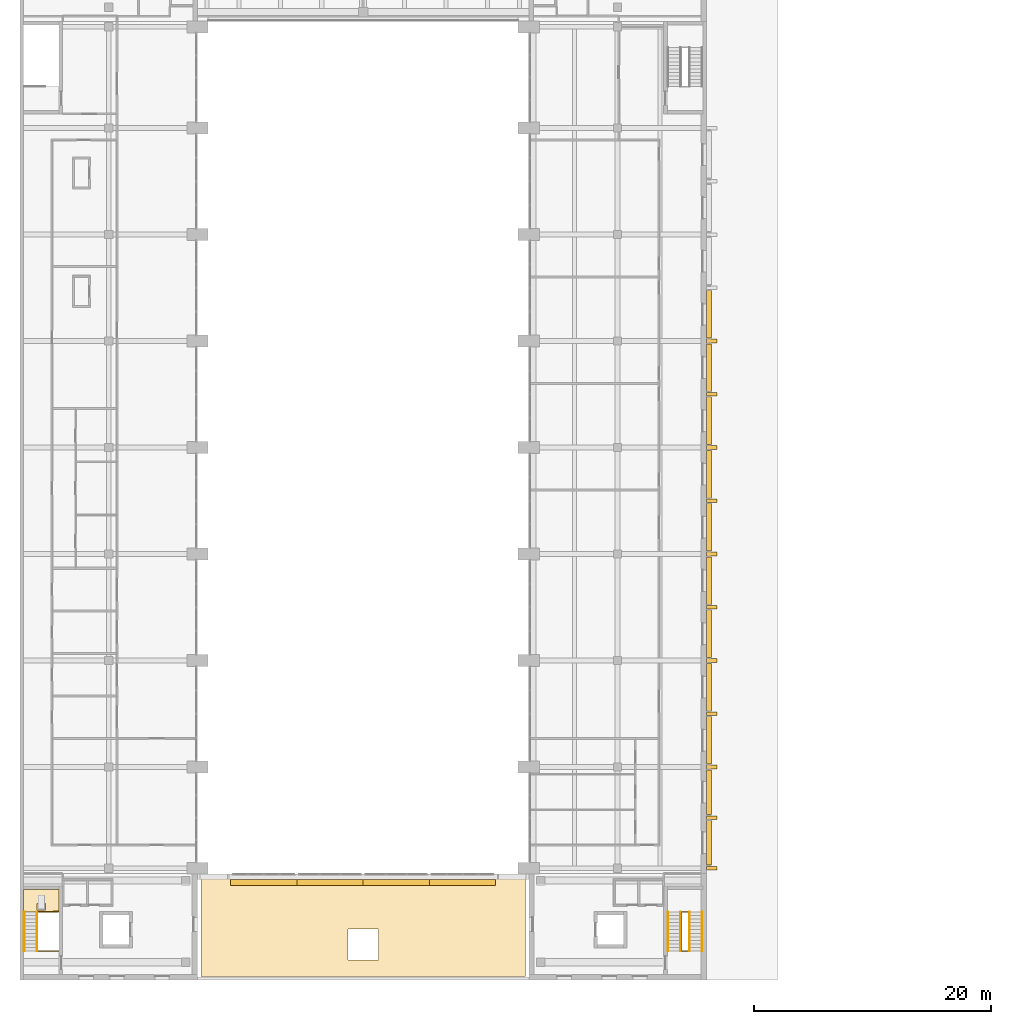
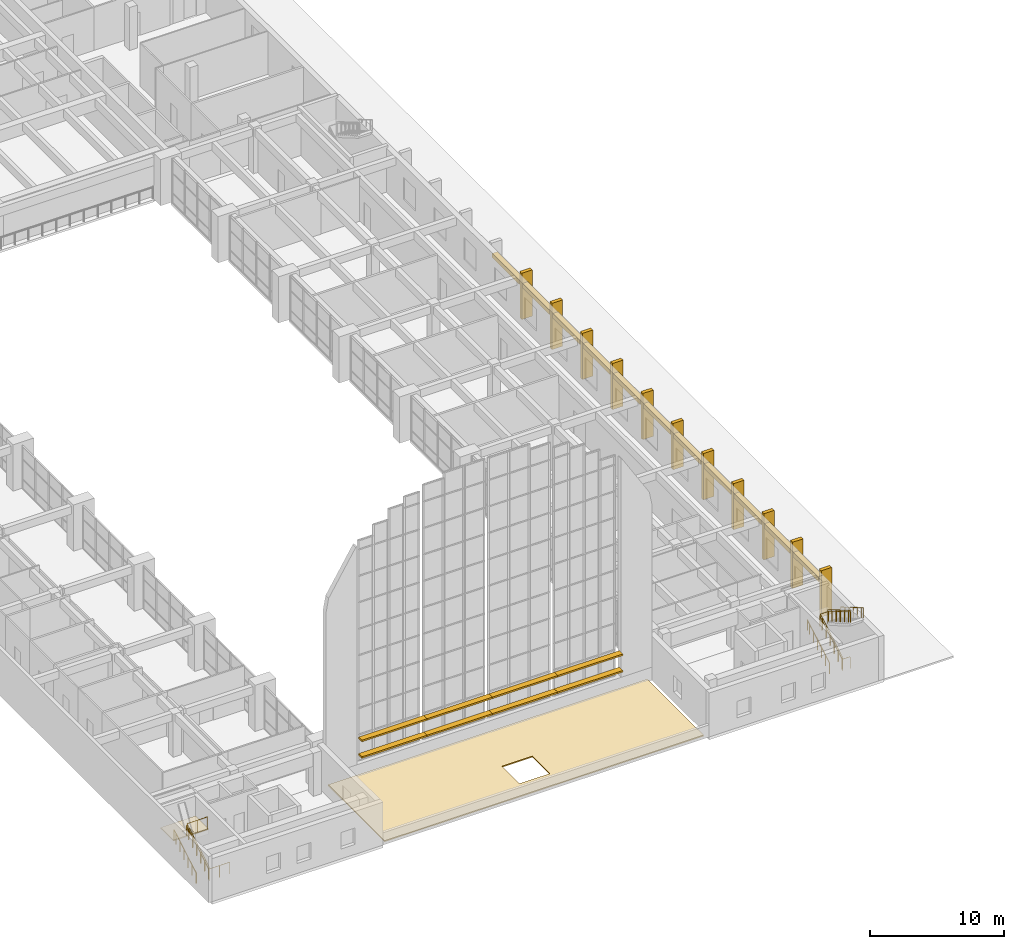
# One storey, part 41 of 45: 30 shading devices, 8 railings, 2 coverings.
"""IFC4 building model written with IfcOpenShell, lengths in metres."""

from ifc_helpers import new_model, si_unit, direction, frame, origin, origin_2d, place, context, subcontext, project, spatial, polyline, rectangle, circle, outline, extrude, material, layer, layer_set, type_object, element, save


model = new_model("IFC4")

# Units and contexts
model_context = context("Model", 3, precision=1e-05, world=origin(), true_north=direction((0.0, 1.0)))
body_context = subcontext(model_context, "Body", "Model", "MODEL_VIEW")
ifc_project = project(units=[si_unit("LENGTHUNIT", "METRE"), si_unit("AREAUNIT", "SQUARE_METRE"), si_unit("VOLUMEUNIT", "CUBIC_METRE"), si_unit("PLANEANGLEUNIT", "RADIAN"), si_unit("MASSUNIT", "GRAM", prefix="KILO")], contexts=[model_context])

# Site, building, storey
site_placement = place(None, origin())
site = spatial("IfcSite", under=ifc_project, at=site_placement, CompositionType="ELEMENT")
building_placement = place(site_placement, origin())
building = spatial("IfcBuilding", under=site, at=building_placement, Name="Elmora Arch Market Hall", CompositionType="ELEMENT")
storey_placement = place(building_placement, frame((0.0, 0.0, 6.0)))
storey = spatial("IfcBuildingStorey", under=building, at=storey_placement, Name="L01", CompositionType="ELEMENT", Elevation=6.0)

# Shading devices
ifc_material_1 = material(Name="Concrete C40/50", Category="concrete")
ifc_layer_1 = layer(ifc_material_1, 0.14990234375)
ifc_layer_set_1 = layer_set([ifc_layer_1], Name="Concrete C40/50")
shading_device_type_1 = type_object("IfcShadingDeviceType", Name="Brise-soleil blade 150 x 500", PredefinedType="USERDEFINED", material=ifc_layer_set_1)
for number, where, z_axis, x_axis, name in (
    (1, (20.60009765625, 26.25, 2.025146484375), (0.0, 0.0, 1.0), (1.0, 0.0, 0.0), "South gable blade 1.1"),
    (2, (20.60009765625, 26.25, 3.525146484375), (0.0, 0.0, 1.0), (1.0, 0.0, 0.0), "South gable blade 1.2"),
    (3, (26.199951171875, 26.25, 2.025146484375), (0.0, 0.0, 1.0), (1.0, 0.0, 0.0), "South gable blade 2.1"),
    (4, (26.199951171875, 26.25, 3.525146484375), (0.0, 0.0, 1.0), (1.0, 0.0, 0.0), "South gable blade 2.2"),
    (5, (31.800048828125, 26.25, 2.025146484375), (0.0, 0.0, 1.0), (1.0, 0.0, 0.0), "South gable blade 3.1"),
    (6, (31.800048828125, 26.25, 3.525146484375), (0.0, 0.0, 1.0), (1.0, 0.0, 0.0), "South gable blade 3.2"),
    (7, (37.39990234375, 26.25, 2.025146484375), (0.0, 0.0, 1.0), (1.0, 0.0, 0.0), "South gable blade 4.1"),
    (8, (37.39990234375, 26.25, 3.525146484375), (0.0, 0.0, 1.0), (1.0, 0.0, 0.0), "South gable blade 4.2"),
):
    element("IfcShadingDevice", number, at=place(storey_placement, frame(where, z_axis=z_axis, x_axis=x_axis)), inside=storey, type_object=shading_device_type_1, Name=name, ObjectType="BLADE", PredefinedType="USERDEFINED", context=body_context, shape_type="SweptSolid", body=[
        extrude(rectangle(XDim=5.60009765625, YDim=0.5, at=origin_2d()), origin(), (0.0, 0.0, 1.0), 0.14990234375),
    ])
ifc_material_2 = material(Name="Concrete C40/50", Category="concrete")
shading_device_type_2 = type_object("IfcShadingDeviceType", Name="Concrete fin 300x900", PredefinedType="USERDEFINED", material=ifc_material_2)
for number, where, z_axis, x_axis, name in (
    (9, (58.449951171875, 27.449951171875, 0.0), (0.0, 0.0, 1.0), (1.0, 0.0, 0.0), "Arcade fin 1 L01"),
    (10, (58.449951171875, 31.72509765625, 0.0), (0.0, 0.0, 1.0), (1.0, 0.0, 0.0), "Arcade fin 2 L01"),
    (11, (58.449951171875, 36.0, 0.0), (0.0, 0.0, 1.0), (1.0, 0.0, 0.0), "Arcade fin 3 L01"),
    (12, (58.449951171875, 40.5, 0.0), (0.0, 0.0, 1.0), (1.0, 0.0, 0.0), "Arcade fin 4 L01"),
    (13, (58.449951171875, 45.0, 0.0), (0.0, 0.0, 1.0), (1.0, 0.0, 0.0), "Arcade fin 5 L01"),
    (14, (58.449951171875, 49.5, 0.0), (0.0, 0.0, 1.0), (1.0, 0.0, 0.0), "Arcade fin 6 L01"),
    (15, (58.449951171875, 54.0, 0.0), (0.0, 0.0, 1.0), (1.0, 0.0, 0.0), "Arcade fin 7 L01"),
    (16, (58.449951171875, 58.5, 0.0), (0.0, 0.0, 1.0), (1.0, 0.0, 0.0), "Arcade fin 8 L01"),
    (17, (58.449951171875, 63.0, 0.0), (0.0, 0.0, 1.0), (1.0, 0.0, 0.0), "Arcade fin 9 L01"),
    (18, (58.449951171875, 67.5, 0.0), (0.0, 0.0, 1.0), (1.0, 0.0, 0.0), "Arcade fin 10 L01"),
    (19, (58.449951171875, 72.0, 0.0), (0.0, 0.0, 1.0), (1.0, 0.0, 0.0), "Arcade fin 11 L01"),
):
    element("IfcShadingDevice", number, at=place(storey_placement, frame(where, z_axis=z_axis, x_axis=x_axis)), inside=storey, type_object=shading_device_type_2, Name=name, ObjectType="FIN", PredefinedType="USERDEFINED", context=body_context, shape_type="SweptSolid", body=[
        extrude(rectangle(XDim=0.89990234375, YDim=0.300048828125, at=origin_2d()), origin(), (0.0, 0.0, 1.0), 4.199951171875),
    ])

# Coverings
ifc_material_3 = material(Name="Cement sand screed")
ifc_layer_2 = layer(ifc_material_3, 0.10009765625)
ifc_layer_set_2 = layer_set([ifc_layer_2], Name="Cement sand screed")
covering_type_1 = type_object("IfcCoveringType", Name="Platform screed 100", PredefinedType="FLOORING", material=ifc_layer_set_2)
covering_1_placement = place(storey_placement, frame((0.0, 0.0, 2.0)))
element("IfcCovering", 20, at=covering_1_placement, inside=storey, type_object=covering_type_1, Name="Roof access platform finish ST-WS", PredefinedType="FLOORING", context=body_context, shape_type="SweptSolid", body=[
    extrude(outline(polyline([(0.300048828125, 23.75), (3.300048828125, 23.75), (3.300048828125, 25.64990234375), (0.300048828125, 25.64990234375), (0.300048828125, 23.75)]), holes=[polyline([(1.449951171875, 23.89990234375), (2.14990234375, 23.89990234375), (2.14990234375, 24.449951171875), (1.449951171875, 24.449951171875), (1.449951171875, 23.89990234375)])]), origin(), (0.0, 0.0, 1.0), 0.10009765625),
])
ifc_material_4 = material(Name="Bituminous membrane and gravel")
ifc_layer_3 = layer(ifc_material_4, 0.10009765625)
ifc_layer_set_3 = layer_set([ifc_layer_3], Name="Bituminous membrane and gravel")
covering_type_2 = type_object("IfcCoveringType", Name="Roof membrane and gravel 100", PredefinedType="ROOFING", material=ifc_layer_set_3)
covering_2_placement = place(storey_placement, origin())
element("IfcCovering", 21, at=covering_2_placement, inside=storey, type_object=covering_type_2, Name="Dock roof membrane and gravel", PredefinedType="ROOFING", context=body_context, shape_type="SweptSolid", body=[
    extrude(outline(polyline([(15.300048828125, 18.300048828125), (15.300048828125, 26.699951171875), (42.699951171875, 26.699951171875), (42.699951171875, 18.300048828125), (15.300048828125, 18.300048828125)]), holes=[polyline([(30.300048828125, 22.300048828125), (27.699951171875, 22.300048828125), (27.699951171875, 19.699951171875), (30.300048828125, 19.699951171875), (30.300048828125, 22.300048828125)])]), origin(), (0.0, 0.0, 1.0), 0.10009765625),
])

# Railings
ifc_material_5 = material(Name="Steel ASTM A500 Gr C", Category="steel")
railing_type_1 = type_object("IfcRailingType", Name="Stair guard 1100", PredefinedType="GUARDRAIL", material=ifc_material_5)
railing_1_placement = place(storey_placement, frame((3.239990234375, 20.449951171875, 0.0)))
element("IfcRailing", 22, at=railing_1_placement, inside=storey, type_object=railing_type_1, Name="Stair ST-WS guard L01", PredefinedType="GUARDRAIL", context=body_context, shape_type="SweptSolid", body=[
    extrude(circle(Radius=0.02392578125, at=origin_2d()), frame((0.0, 0.0, 1.076171875), z_axis=(-1.0, 0.0, 0.0), x_axis=(0.0, -1.0, 0.0)), (0.0, 0.0, 1.0), 1.760009765625),
    extrude(circle(Radius=0.02392578125, at=origin_2d()), frame((-1.760009765625, 0.0, 1.076171875), z_axis=(0.0, 0.0, 1.0), x_axis=(1.0, 0.0, 0.0)), (0.0, 0.0, 1.0), 0.175048828125),
    extrude(circle(Radius=0.02392578125, at=origin_2d()), frame((-1.760009765625, 0.0, 1.2509765625), z_axis=(0.0, 0.863906348401, 0.503652480577), x_axis=(-1.0, 0.0, 0.0)), (0.0, 0.0, 1.0), 0.694580078125),
    extrude(circle(Radius=0.02392578125, at=origin_2d()), frame((-1.760009765625, 0.60009765625, 1.60107421875), z_axis=(0.0, 0.863664136355, 0.504067713282), x_axis=(-1.0, 0.0, 0.0)), (0.0, 0.0, 1.0), 0.694580078125),
    extrude(circle(Radius=0.02392578125, at=origin_2d()), frame((-1.760009765625, 1.199951171875, 1.951171875), z_axis=(0.0, 0.863753409277, 0.503914722906), x_axis=(-1.0, 0.0, 0.0)), (0.0, 0.0, 1.0), 0.69482421875),
    extrude(circle(Radius=0.02392578125, at=origin_2d()), frame((-1.760009765625, 1.800048828125, 2.30126953125), z_axis=(0.0, 0.863906348401, 0.503652480577), x_axis=(-1.0, 0.0, 0.0)), (0.0, 0.0, 1.0), 0.694580078125),
    extrude(circle(Radius=0.02392578125, at=origin_2d()), frame((-1.760009765625, 2.400146484375, 2.65087890625), z_axis=(0.0, 0.863664136355, 0.504067713282), x_axis=(-1.0, 0.0, 0.0)), (0.0, 0.0, 1.0), 0.694580078125),
    extrude(circle(Radius=0.02392578125, at=origin_2d()), frame((-1.760009765625, 3.0, 3.0009765625), z_axis=(0.0, 0.863753409277, 0.503914722906), x_axis=(-1.0, 0.0, 0.0)), (0.0, 0.0, 1.0), 0.347412109375),
    extrude(circle(Radius=0.02392578125, at=origin_2d()), frame((-1.760009765625, 3.300048828125, 3.17626953125), z_axis=(0.999935314712, 0.011373934777, 0.0), x_axis=(-0.011373934777, 0.999935314712, 0.0)), (0.0, 0.0, 1.0), 1.760009765625),
    extrude(circle(Radius=0.02099609375, at=origin_2d()), origin(), (0.0, 0.0, 1.0), 1.052001953125),
    extrude(circle(Radius=0.02099609375, at=origin_2d()), frame((-0.8798828125, 0.0, 0.0)), (0.0, 0.0, 1.0), 1.052001953125),
    extrude(circle(Radius=0.02099609375, at=origin_2d()), frame((-1.760009765625, 0.0, 0.0)), (0.0, 0.0, 1.0), 1.052001953125),
    extrude(circle(Radius=0.02099609375, at=origin_2d()), frame((-1.760009765625, 0.0, 0.175048828125)), (0.0, 0.0, 1.0), 1.052001953125),
    extrude(circle(Radius=0.02099609375, at=origin_2d()), frame((-1.760009765625, 0.60009765625, 0.52490234375)), (0.0, 0.0, 1.0), 1.052001953125),
    extrude(circle(Radius=0.02099609375, at=origin_2d()), frame((-1.760009765625, 1.199951171875, 0.875)), (0.0, 0.0, 1.0), 1.052001953125),
    extrude(circle(Radius=0.02099609375, at=origin_2d()), frame((-1.760009765625, 1.800048828125, 1.22509765625)), (0.0, 0.0, 1.0), 1.052001953125),
    extrude(circle(Radius=0.02099609375, at=origin_2d()), frame((-1.760009765625, 2.400146484375, 1.574951171875)), (0.0, 0.0, 1.0), 1.052001953125),
    extrude(circle(Radius=0.02099609375, at=origin_2d()), frame((-1.760009765625, 3.0, 1.925048828125)), (0.0, 0.0, 1.0), 1.052001953125),
    extrude(circle(Radius=0.02099609375, at=origin_2d()), frame((-1.760009765625, 3.300048828125, 2.10009765625)), (0.0, 0.0, 1.0), 1.052001953125),
    extrude(circle(Radius=0.02099609375, at=origin_2d()), frame((-0.8798828125, 3.31005859375, 2.10009765625)), (0.0, 0.0, 1.0), 1.052001953125),
    extrude(circle(Radius=0.02099609375, at=origin_2d()), frame((0.0, 3.320068359375, 2.10009765625)), (0.0, 0.0, 1.0), 1.052001953125),
])
railing_2_placement = place(storey_placement, frame((56.52001953125, 20.449951171875, 0.0)))
element("IfcRailing", 23, at=railing_2_placement, inside=storey, type_object=railing_type_1, Name="Stair ST-ES guard L01", PredefinedType="GUARDRAIL", context=body_context, shape_type="SweptSolid", body=[
    extrude(circle(Radius=0.02392578125, at=origin_2d()), frame((0.0, 0.0, 1.076171875), z_axis=(-1.0, 0.0, 0.0), x_axis=(0.0, -1.0, 0.0)), (0.0, 0.0, 1.0), 0.64013671875),
    extrude(circle(Radius=0.02392578125, at=origin_2d()), frame((-0.64013671875, 0.0, 1.076171875), z_axis=(0.0, 0.0, 1.0), x_axis=(1.0, 0.0, 0.0)), (0.0, 0.0, 1.0), 0.175048828125),
    extrude(circle(Radius=0.02392578125, at=origin_2d()), frame((-0.64013671875, 0.0, 1.2509765625), z_axis=(0.0, 0.863906348401, 0.503652480577), x_axis=(-1.0, 0.0, 0.0)), (0.0, 0.0, 1.0), 0.694580078125),
    extrude(circle(Radius=0.02392578125, at=origin_2d()), frame((-0.64013671875, 0.60009765625, 1.60107421875), z_axis=(0.0, 0.863664136355, 0.504067713282), x_axis=(-1.0, 0.0, 0.0)), (0.0, 0.0, 1.0), 0.694580078125),
    extrude(circle(Radius=0.02392578125, at=origin_2d()), frame((-0.64013671875, 1.199951171875, 1.951171875), z_axis=(0.0, 0.863753409277, 0.503914722906), x_axis=(-1.0, 0.0, 0.0)), (0.0, 0.0, 1.0), 0.69482421875),
    extrude(circle(Radius=0.02392578125, at=origin_2d()), frame((-0.64013671875, 1.800048828125, 2.30126953125), z_axis=(0.0, 0.863906348401, 0.503652480577), x_axis=(-1.0, 0.0, 0.0)), (0.0, 0.0, 1.0), 0.694580078125),
    extrude(circle(Radius=0.02392578125, at=origin_2d()), frame((-0.64013671875, 2.400146484375, 2.65087890625), z_axis=(0.0, 0.863664136355, 0.504067713282), x_axis=(-1.0, 0.0, 0.0)), (0.0, 0.0, 1.0), 0.694580078125),
    extrude(circle(Radius=0.02392578125, at=origin_2d()), frame((-0.64013671875, 3.0, 3.0009765625), z_axis=(0.0, 0.863753409277, 0.503914722906), x_axis=(-1.0, 0.0, 0.0)), (0.0, 0.0, 1.0), 0.347412109375),
    extrude(circle(Radius=0.02392578125, at=origin_2d()), frame((-0.64013671875, 3.300048828125, 3.17626953125), z_axis=(1.0, 0.0, 0.0), x_axis=(0.0, 1.0, 0.0)), (0.0, 0.0, 1.0), 0.64013671875),
    extrude(circle(Radius=0.02392578125, at=origin_2d()), frame((0.0, 3.300048828125, 3.17626953125), z_axis=(0.0, 0.0, 1.0), x_axis=(1.0, 0.0, 0.0)), (0.0, 0.0, 1.0), 0.1748046875),
    extrude(circle(Radius=0.02392578125, at=origin_2d()), frame((0.0, 3.300048828125, 3.35107421875), z_axis=(0.0, -0.863753409277, 0.503914722906), x_axis=(1.0, 0.0, 0.0)), (0.0, 0.0, 1.0), 0.69482421875),
    extrude(circle(Radius=0.02392578125, at=origin_2d()), frame((0.0, 2.699951171875, 3.701171875), z_axis=(0.0, -0.863664136355, 0.504067713282), x_axis=(1.0, 0.0, 0.0)), (0.0, 0.0, 1.0), 0.694580078125),
    extrude(circle(Radius=0.02392578125, at=origin_2d()), frame((0.0, 2.10009765625, 4.05126953125), z_axis=(0.0, -0.863906348401, 0.503652480577), x_axis=(1.0, 0.0, 0.0)), (0.0, 0.0, 1.0), 0.694580078125),
    extrude(circle(Radius=0.02392578125, at=origin_2d()), frame((0.0, 1.5, 4.40087890625), z_axis=(0.0, -0.863664136355, 0.504067713282), x_axis=(1.0, 0.0, 0.0)), (0.0, 0.0, 1.0), 0.694580078125),
    extrude(circle(Radius=0.02392578125, at=origin_2d()), frame((0.0, 0.900146484375, 4.7509765625), z_axis=(0.0, -0.863906348401, 0.503652480577), x_axis=(1.0, 0.0, 0.0)), (0.0, 0.0, 1.0), 0.694580078125),
    extrude(circle(Radius=0.02392578125, at=origin_2d()), frame((0.0, 0.300048828125, 5.10107421875), z_axis=(0.0, -0.863753409277, 0.503914722906), x_axis=(1.0, 0.0, 0.0)), (0.0, 0.0, 1.0), 0.347412109375),
    extrude(circle(Radius=0.02099609375, at=origin_2d()), origin(), (0.0, 0.0, 1.0), 1.052001953125),
    extrude(circle(Radius=0.02099609375, at=origin_2d()), frame((-0.64013671875, 0.0, 0.0)), (0.0, 0.0, 1.0), 1.052001953125),
    extrude(circle(Radius=0.02099609375, at=origin_2d()), frame((-0.64013671875, 0.0, 0.175048828125)), (0.0, 0.0, 1.0), 1.052001953125),
    extrude(circle(Radius=0.02099609375, at=origin_2d()), frame((-0.64013671875, 0.60009765625, 0.52490234375)), (0.0, 0.0, 1.0), 1.052001953125),
    extrude(circle(Radius=0.02099609375, at=origin_2d()), frame((-0.64013671875, 1.199951171875, 0.875)), (0.0, 0.0, 1.0), 1.052001953125),
    extrude(circle(Radius=0.02099609375, at=origin_2d()), frame((-0.64013671875, 1.800048828125, 1.22509765625)), (0.0, 0.0, 1.0), 1.052001953125),
    extrude(circle(Radius=0.02099609375, at=origin_2d()), frame((-0.64013671875, 2.400146484375, 1.574951171875)), (0.0, 0.0, 1.0), 1.052001953125),
    extrude(circle(Radius=0.02099609375, at=origin_2d()), frame((-0.64013671875, 3.0, 1.925048828125)), (0.0, 0.0, 1.0), 1.052001953125),
    extrude(circle(Radius=0.02099609375, at=origin_2d()), frame((-0.64013671875, 3.300048828125, 2.10009765625)), (0.0, 0.0, 1.0), 1.052001953125),
    extrude(circle(Radius=0.02099609375, at=origin_2d()), frame((0.0, 3.300048828125, 2.10009765625)), (0.0, 0.0, 1.0), 1.052001953125),
    extrude(circle(Radius=0.02099609375, at=origin_2d()), frame((0.0, 3.300048828125, 2.27490234375)), (0.0, 0.0, 1.0), 1.052001953125),
    extrude(circle(Radius=0.02099609375, at=origin_2d()), frame((0.0, 2.699951171875, 2.625)), (0.0, 0.0, 1.0), 1.052001953125),
    extrude(circle(Radius=0.02099609375, at=origin_2d()), frame((0.0, 2.10009765625, 2.97509765625)), (0.0, 0.0, 1.0), 1.052001953125),
    extrude(circle(Radius=0.02099609375, at=origin_2d()), frame((0.0, 1.5, 3.324951171875)), (0.0, 0.0, 1.0), 1.052001953125),
    extrude(circle(Radius=0.02099609375, at=origin_2d()), frame((0.0, 0.900146484375, 3.675048828125)), (0.0, 0.0, 1.0), 1.052001953125),
    extrude(circle(Radius=0.02099609375, at=origin_2d()), frame((0.0, 0.300048828125, 4.02490234375)), (0.0, 0.0, 1.0), 1.052001953125),
    extrude(circle(Radius=0.02099609375, at=origin_2d()), frame((0.0, 0.0, 4.199951171875)), (0.0, 0.0, 1.0), 1.052001953125),
])
ifc_material_6 = material(Name="Stainless steel ASTM A554 Grade 304", Category="steel")
railing_type_2 = type_object("IfcRailingType", Name="Stair handrail 950", PredefinedType="HANDRAIL", material=ifc_material_6)
railing_3_placement = place(storey_placement, frame((0.360107421875, 20.449951171875, 0.175048828125)))
element("IfcRailing", 24, at=railing_3_placement, inside=storey, type_object=railing_type_2, Name="Stair ST-WS L01 flight 1 handrail", PredefinedType="HANDRAIL", context=body_context, shape_type="SweptSolid", body=[
    extrude(circle(Radius=0.02392578125, at=origin_2d()), frame((0.0, 0.0, 0.92578125), z_axis=(0.0, 0.863906348401, 0.503652480577), x_axis=(-1.0, 0.0, 0.0)), (0.0, 0.0, 1.0), 0.694580078125),
    extrude(circle(Radius=0.02392578125, at=origin_2d()), frame((0.0, 0.60009765625, 1.27587890625), z_axis=(0.0, 0.863664136355, 0.504067713282), x_axis=(-1.0, 0.0, 0.0)), (0.0, 0.0, 1.0), 0.694580078125),
    extrude(circle(Radius=0.02392578125, at=origin_2d()), frame((0.0, 1.199951171875, 1.6259765625), z_axis=(0.0, 0.863753409277, 0.503914722906), x_axis=(-1.0, 0.0, 0.0)), (0.0, 0.0, 1.0), 0.69482421875),
    extrude(circle(Radius=0.02392578125, at=origin_2d()), frame((0.0, 1.800048828125, 1.97607421875), z_axis=(0.0, 0.863906348401, 0.503652480577), x_axis=(-1.0, 0.0, 0.0)), (0.0, 0.0, 1.0), 0.694580078125),
    extrude(circle(Radius=0.02392578125, at=origin_2d()), frame((0.0, 2.400146484375, 2.32568359375), z_axis=(0.0, 0.863664136355, 0.504067713282), x_axis=(-1.0, 0.0, 0.0)), (0.0, 0.0, 1.0), 0.694580078125),
    extrude(circle(Radius=0.02392578125, at=origin_2d()), frame((0.0, 3.0, 2.67578125), z_axis=(0.0, 0.863753409277, 0.503914722906), x_axis=(-1.0, 0.0, 0.0)), (0.0, 0.0, 1.0), 0.347412109375),
    extrude(circle(Radius=0.02099609375, at=origin_2d()), origin(), (0.0, 0.0, 1.0), 0.90185546875),
    extrude(circle(Radius=0.02099609375, at=origin_2d()), frame((0.0, 0.60009765625, 0.349853515625)), (0.0, 0.0, 1.0), 0.90185546875),
    extrude(circle(Radius=0.02099609375, at=origin_2d()), frame((0.0, 1.199951171875, 0.699951171875)), (0.0, 0.0, 1.0), 0.90185546875),
    extrude(circle(Radius=0.02099609375, at=origin_2d()), frame((0.0, 1.800048828125, 1.050048828125)), (0.0, 0.0, 1.0), 0.90185546875),
    extrude(circle(Radius=0.02099609375, at=origin_2d()), frame((0.0, 2.400146484375, 1.39990234375)), (0.0, 0.0, 1.0), 0.90185546875),
    extrude(circle(Radius=0.02099609375, at=origin_2d()), frame((0.0, 3.0, 1.75)), (0.0, 0.0, 1.0), 0.90185546875),
    extrude(circle(Radius=0.02099609375, at=origin_2d()), frame((0.0, 3.300048828125, 1.925048828125)), (0.0, 0.0, 1.0), 0.90185546875),
])
railing_4_placement = place(storey_placement, frame((1.429931640625, 20.449951171875, 0.175048828125)))
element("IfcRailing", 25, at=railing_4_placement, inside=storey, type_object=railing_type_2, Name="Stair ST-WS L01 flight 1 handrail", PredefinedType="HANDRAIL", context=body_context, shape_type="SweptSolid", body=[
    extrude(circle(Radius=0.02392578125, at=origin_2d()), frame((0.0, 0.0, 0.92578125), z_axis=(0.0, 0.863906348401, 0.503652480577), x_axis=(-1.0, 0.0, 0.0)), (0.0, 0.0, 1.0), 0.694580078125),
    extrude(circle(Radius=0.02392578125, at=origin_2d()), frame((0.0, 0.60009765625, 1.27587890625), z_axis=(0.0, 0.863664136355, 0.504067713282), x_axis=(-1.0, 0.0, 0.0)), (0.0, 0.0, 1.0), 0.694580078125),
    extrude(circle(Radius=0.02392578125, at=origin_2d()), frame((0.0, 1.199951171875, 1.6259765625), z_axis=(0.0, 0.863753409277, 0.503914722906), x_axis=(-1.0, 0.0, 0.0)), (0.0, 0.0, 1.0), 0.69482421875),
    extrude(circle(Radius=0.02392578125, at=origin_2d()), frame((0.0, 1.800048828125, 1.97607421875), z_axis=(0.0, 0.863906348401, 0.503652480577), x_axis=(-1.0, 0.0, 0.0)), (0.0, 0.0, 1.0), 0.694580078125),
    extrude(circle(Radius=0.02392578125, at=origin_2d()), frame((0.0, 2.400146484375, 2.32568359375), z_axis=(0.0, 0.863664136355, 0.504067713282), x_axis=(-1.0, 0.0, 0.0)), (0.0, 0.0, 1.0), 0.694580078125),
    extrude(circle(Radius=0.02392578125, at=origin_2d()), frame((0.0, 3.0, 2.67578125), z_axis=(0.0, 0.863753409277, 0.503914722906), x_axis=(-1.0, 0.0, 0.0)), (0.0, 0.0, 1.0), 0.347412109375),
    extrude(circle(Radius=0.02099609375, at=origin_2d()), origin(), (0.0, 0.0, 1.0), 0.90185546875),
    extrude(circle(Radius=0.02099609375, at=origin_2d()), frame((0.0, 0.60009765625, 0.349853515625)), (0.0, 0.0, 1.0), 0.90185546875),
    extrude(circle(Radius=0.02099609375, at=origin_2d()), frame((0.0, 1.199951171875, 0.699951171875)), (0.0, 0.0, 1.0), 0.90185546875),
    extrude(circle(Radius=0.02099609375, at=origin_2d()), frame((0.0, 1.800048828125, 1.050048828125)), (0.0, 0.0, 1.0), 0.90185546875),
    extrude(circle(Radius=0.02099609375, at=origin_2d()), frame((0.0, 2.400146484375, 1.39990234375)), (0.0, 0.0, 1.0), 0.90185546875),
    extrude(circle(Radius=0.02099609375, at=origin_2d()), frame((0.0, 3.0, 1.75)), (0.0, 0.0, 1.0), 0.90185546875),
    extrude(circle(Radius=0.02099609375, at=origin_2d()), frame((0.0, 3.300048828125, 1.925048828125)), (0.0, 0.0, 1.0), 0.90185546875),
])
railing_5_placement = place(storey_placement, frame((54.760009765625, 20.449951171875, 0.175048828125)))
element("IfcRailing", 26, at=railing_5_placement, inside=storey, type_object=railing_type_2, Name="Stair ST-ES L01 flight 1 handrail", PredefinedType="HANDRAIL", context=body_context, shape_type="SweptSolid", body=[
    extrude(circle(Radius=0.02392578125, at=origin_2d()), frame((0.0, 0.0, 0.92578125), z_axis=(0.0, 0.863906348401, 0.503652480577), x_axis=(-1.0, 0.0, 0.0)), (0.0, 0.0, 1.0), 0.694580078125),
    extrude(circle(Radius=0.02392578125, at=origin_2d()), frame((0.0, 0.60009765625, 1.27587890625), z_axis=(0.0, 0.863664136355, 0.504067713282), x_axis=(-1.0, 0.0, 0.0)), (0.0, 0.0, 1.0), 0.694580078125),
    extrude(circle(Radius=0.02392578125, at=origin_2d()), frame((0.0, 1.199951171875, 1.6259765625), z_axis=(0.0, 0.863753409277, 0.503914722906), x_axis=(-1.0, 0.0, 0.0)), (0.0, 0.0, 1.0), 0.69482421875),
    extrude(circle(Radius=0.02392578125, at=origin_2d()), frame((0.0, 1.800048828125, 1.97607421875), z_axis=(0.0, 0.863906348401, 0.503652480577), x_axis=(-1.0, 0.0, 0.0)), (0.0, 0.0, 1.0), 0.694580078125),
    extrude(circle(Radius=0.02392578125, at=origin_2d()), frame((0.0, 2.400146484375, 2.32568359375), z_axis=(0.0, 0.863664136355, 0.504067713282), x_axis=(-1.0, 0.0, 0.0)), (0.0, 0.0, 1.0), 0.694580078125),
    extrude(circle(Radius=0.02392578125, at=origin_2d()), frame((0.0, 3.0, 2.67578125), z_axis=(0.0, 0.863753409277, 0.503914722906), x_axis=(-1.0, 0.0, 0.0)), (0.0, 0.0, 1.0), 0.347412109375),
    extrude(circle(Radius=0.02099609375, at=origin_2d()), origin(), (0.0, 0.0, 1.0), 0.90185546875),
    extrude(circle(Radius=0.02099609375, at=origin_2d()), frame((0.0, 0.60009765625, 0.349853515625)), (0.0, 0.0, 1.0), 0.90185546875),
    extrude(circle(Radius=0.02099609375, at=origin_2d()), frame((0.0, 1.199951171875, 0.699951171875)), (0.0, 0.0, 1.0), 0.90185546875),
    extrude(circle(Radius=0.02099609375, at=origin_2d()), frame((0.0, 1.800048828125, 1.050048828125)), (0.0, 0.0, 1.0), 0.90185546875),
    extrude(circle(Radius=0.02099609375, at=origin_2d()), frame((0.0, 2.400146484375, 1.39990234375)), (0.0, 0.0, 1.0), 0.90185546875),
    extrude(circle(Radius=0.02099609375, at=origin_2d()), frame((0.0, 3.0, 1.75)), (0.0, 0.0, 1.0), 0.90185546875),
    extrude(circle(Radius=0.02099609375, at=origin_2d()), frame((0.0, 3.300048828125, 1.925048828125)), (0.0, 0.0, 1.0), 0.90185546875),
])
railing_6_placement = place(storey_placement, frame((55.830078125, 20.449951171875, 0.175048828125)))
element("IfcRailing", 27, at=railing_6_placement, inside=storey, type_object=railing_type_2, Name="Stair ST-ES L01 flight 1 handrail", PredefinedType="HANDRAIL", context=body_context, shape_type="SweptSolid", body=[
    extrude(circle(Radius=0.02392578125, at=origin_2d()), frame((0.0, 0.0, 0.92578125), z_axis=(0.0, 0.863906348401, 0.503652480577), x_axis=(-1.0, 0.0, 0.0)), (0.0, 0.0, 1.0), 0.694580078125),
    extrude(circle(Radius=0.02392578125, at=origin_2d()), frame((0.0, 0.60009765625, 1.27587890625), z_axis=(0.0, 0.863664136355, 0.504067713282), x_axis=(-1.0, 0.0, 0.0)), (0.0, 0.0, 1.0), 0.694580078125),
    extrude(circle(Radius=0.02392578125, at=origin_2d()), frame((0.0, 1.199951171875, 1.6259765625), z_axis=(0.0, 0.863753409277, 0.503914722906), x_axis=(-1.0, 0.0, 0.0)), (0.0, 0.0, 1.0), 0.69482421875),
    extrude(circle(Radius=0.02392578125, at=origin_2d()), frame((0.0, 1.800048828125, 1.97607421875), z_axis=(0.0, 0.863906348401, 0.503652480577), x_axis=(-1.0, 0.0, 0.0)), (0.0, 0.0, 1.0), 0.694580078125),
    extrude(circle(Radius=0.02392578125, at=origin_2d()), frame((0.0, 2.400146484375, 2.32568359375), z_axis=(0.0, 0.863664136355, 0.504067713282), x_axis=(-1.0, 0.0, 0.0)), (0.0, 0.0, 1.0), 0.694580078125),
    extrude(circle(Radius=0.02392578125, at=origin_2d()), frame((0.0, 3.0, 2.67578125), z_axis=(0.0, 0.863753409277, 0.503914722906), x_axis=(-1.0, 0.0, 0.0)), (0.0, 0.0, 1.0), 0.347412109375),
    extrude(circle(Radius=0.02099609375, at=origin_2d()), origin(), (0.0, 0.0, 1.0), 0.90185546875),
    extrude(circle(Radius=0.02099609375, at=origin_2d()), frame((0.0, 0.60009765625, 0.349853515625)), (0.0, 0.0, 1.0), 0.90185546875),
    extrude(circle(Radius=0.02099609375, at=origin_2d()), frame((0.0, 1.199951171875, 0.699951171875)), (0.0, 0.0, 1.0), 0.90185546875),
    extrude(circle(Radius=0.02099609375, at=origin_2d()), frame((0.0, 1.800048828125, 1.050048828125)), (0.0, 0.0, 1.0), 0.90185546875),
    extrude(circle(Radius=0.02099609375, at=origin_2d()), frame((0.0, 2.400146484375, 1.39990234375)), (0.0, 0.0, 1.0), 0.90185546875),
    extrude(circle(Radius=0.02099609375, at=origin_2d()), frame((0.0, 3.0, 1.75)), (0.0, 0.0, 1.0), 0.90185546875),
    extrude(circle(Radius=0.02099609375, at=origin_2d()), frame((0.0, 3.300048828125, 1.925048828125)), (0.0, 0.0, 1.0), 0.90185546875),
])
railing_7_placement = place(storey_placement, frame((57.639892578125, 23.75, 2.27490234375)))
element("IfcRailing", 28, at=railing_7_placement, inside=storey, type_object=railing_type_2, Name="Stair ST-ES L01 flight 2 handrail", PredefinedType="HANDRAIL", context=body_context, shape_type="SweptSolid", body=[
    extrude(circle(Radius=0.02392578125, at=origin_2d()), frame((0.0, 0.0, 0.92578125), z_axis=(0.0, -0.863753409277, 0.503914722906), x_axis=(1.0, 0.0, 0.0)), (0.0, 0.0, 1.0), 0.69482421875),
    extrude(circle(Radius=0.02392578125, at=origin_2d()), frame((0.0, -0.60009765625, 1.27587890625), z_axis=(0.0, -0.863664136355, 0.504067713282), x_axis=(1.0, 0.0, 0.0)), (0.0, 0.0, 1.0), 0.694580078125),
    extrude(circle(Radius=0.02392578125, at=origin_2d()), frame((0.0, -1.199951171875, 1.6259765625), z_axis=(0.0, -0.863906348401, 0.503652480577), x_axis=(1.0, 0.0, 0.0)), (0.0, 0.0, 1.0), 0.694580078125),
    extrude(circle(Radius=0.02392578125, at=origin_2d()), frame((0.0, -1.800048828125, 1.97607421875), z_axis=(0.0, -0.863664136355, 0.504067713282), x_axis=(1.0, 0.0, 0.0)), (0.0, 0.0, 1.0), 0.694580078125),
    extrude(circle(Radius=0.02392578125, at=origin_2d()), frame((0.0, -2.39990234375, 2.326171875), z_axis=(0.0, -0.863906348401, 0.503652480577), x_axis=(1.0, 0.0, 0.0)), (0.0, 0.0, 1.0), 0.694580078125),
    extrude(circle(Radius=0.02392578125, at=origin_2d()), frame((0.0, -3.0, 2.67578125), z_axis=(0.0, -0.863753409277, 0.503914722906), x_axis=(1.0, 0.0, 0.0)), (0.0, 0.0, 1.0), 0.347412109375),
    extrude(circle(Radius=0.02099609375, at=origin_2d()), origin(), (0.0, 0.0, 1.0), 0.90185546875),
    extrude(circle(Radius=0.02099609375, at=origin_2d()), frame((0.0, -0.60009765625, 0.35009765625)), (0.0, 0.0, 1.0), 0.90185546875),
    extrude(circle(Radius=0.02099609375, at=origin_2d()), frame((0.0, -1.199951171875, 0.7001953125)), (0.0, 0.0, 1.0), 0.90185546875),
    extrude(circle(Radius=0.02099609375, at=origin_2d()), frame((0.0, -1.800048828125, 1.050048828125)), (0.0, 0.0, 1.0), 0.90185546875),
    extrude(circle(Radius=0.02099609375, at=origin_2d()), frame((0.0, -2.39990234375, 1.400146484375)), (0.0, 0.0, 1.0), 0.90185546875),
    extrude(circle(Radius=0.02099609375, at=origin_2d()), frame((0.0, -3.0, 1.75)), (0.0, 0.0, 1.0), 0.90185546875),
    extrude(circle(Radius=0.02099609375, at=origin_2d()), frame((0.0, -3.300048828125, 1.925048828125)), (0.0, 0.0, 1.0), 0.90185546875),
])
railing_8_placement = place(storey_placement, frame((56.570068359375, 23.75, 2.27490234375)))
element("IfcRailing", 29, at=railing_8_placement, inside=storey, type_object=railing_type_2, Name="Stair ST-ES L01 flight 2 handrail", PredefinedType="HANDRAIL", context=body_context, shape_type="SweptSolid", body=[
    extrude(circle(Radius=0.02392578125, at=origin_2d()), frame((0.0, 0.0, 0.92578125), z_axis=(0.0, -0.863753409277, 0.503914722906), x_axis=(1.0, 0.0, 0.0)), (0.0, 0.0, 1.0), 0.69482421875),
    extrude(circle(Radius=0.02392578125, at=origin_2d()), frame((0.0, -0.60009765625, 1.27587890625), z_axis=(0.0, -0.863664136355, 0.504067713282), x_axis=(1.0, 0.0, 0.0)), (0.0, 0.0, 1.0), 0.694580078125),
    extrude(circle(Radius=0.02392578125, at=origin_2d()), frame((0.0, -1.199951171875, 1.6259765625), z_axis=(0.0, -0.863906348401, 0.503652480577), x_axis=(1.0, 0.0, 0.0)), (0.0, 0.0, 1.0), 0.694580078125),
    extrude(circle(Radius=0.02392578125, at=origin_2d()), frame((0.0, -1.800048828125, 1.97607421875), z_axis=(0.0, -0.863664136355, 0.504067713282), x_axis=(1.0, 0.0, 0.0)), (0.0, 0.0, 1.0), 0.694580078125),
    extrude(circle(Radius=0.02392578125, at=origin_2d()), frame((0.0, -2.39990234375, 2.326171875), z_axis=(0.0, -0.863906348401, 0.503652480577), x_axis=(1.0, 0.0, 0.0)), (0.0, 0.0, 1.0), 0.694580078125),
    extrude(circle(Radius=0.02392578125, at=origin_2d()), frame((0.0, -3.0, 2.67578125), z_axis=(0.0, -0.863753409277, 0.503914722906), x_axis=(1.0, 0.0, 0.0)), (0.0, 0.0, 1.0), 0.347412109375),
    extrude(circle(Radius=0.02099609375, at=origin_2d()), origin(), (0.0, 0.0, 1.0), 0.90185546875),
    extrude(circle(Radius=0.02099609375, at=origin_2d()), frame((0.0, -0.60009765625, 0.35009765625)), (0.0, 0.0, 1.0), 0.90185546875),
    extrude(circle(Radius=0.02099609375, at=origin_2d()), frame((0.0, -1.199951171875, 0.7001953125)), (0.0, 0.0, 1.0), 0.90185546875),
    extrude(circle(Radius=0.02099609375, at=origin_2d()), frame((0.0, -1.800048828125, 1.050048828125)), (0.0, 0.0, 1.0), 0.90185546875),
    extrude(circle(Radius=0.02099609375, at=origin_2d()), frame((0.0, -2.39990234375, 1.400146484375)), (0.0, 0.0, 1.0), 0.90185546875),
    extrude(circle(Radius=0.02099609375, at=origin_2d()), frame((0.0, -3.0, 1.75)), (0.0, 0.0, 1.0), 0.90185546875),
    extrude(circle(Radius=0.02099609375, at=origin_2d()), frame((0.0, -3.300048828125, 1.925048828125)), (0.0, 0.0, 1.0), 0.90185546875),
])

# Shading devices
ifc_material_7 = material(Name="Concrete C40/50", Category="concrete")
shading_device_type_3 = type_object("IfcShadingDeviceType", Name="Window hood 450x400", PredefinedType="USERDEFINED", material=ifc_material_7)
for number, where, z_axis, x_axis, name in (
    (30, (58.22509765625, 29.58740234375, 2.949951171875), (0.0, 0.0, 1.0), (1.0, 0.0, 0.0), "Arcade window hood 1 L01"),
    (31, (58.22509765625, 33.862548828125, 2.949951171875), (0.0, 0.0, 1.0), (1.0, 0.0, 0.0), "Arcade window hood 2 L01"),
):
    element("IfcShadingDevice", number, at=place(storey_placement, frame(where, z_axis=z_axis, x_axis=x_axis)), inside=storey, type_object=shading_device_type_3, Name=name, ObjectType="HOOD", PredefinedType="USERDEFINED", context=body_context, shape_type="SweptSolid", body=[
        extrude(rectangle(XDim=0.449951171875, YDim=3.77490234375, at=origin_2d()), origin(), (0.0, 0.0, 1.0), 0.39990234375),
    ])
for number, where, z_axis, x_axis, name in (
    (32, (58.22509765625, 38.25, 2.949951171875), (0.0, 0.0, 1.0), (1.0, 0.0, 0.0), "Arcade window hood 3 L01"),
    (33, (58.22509765625, 42.75, 2.949951171875), (0.0, 0.0, 1.0), (1.0, 0.0, 0.0), "Arcade window hood 4 L01"),
    (34, (58.22509765625, 47.25, 2.949951171875), (0.0, 0.0, 1.0), (1.0, 0.0, 0.0), "Arcade window hood 5 L01"),
    (35, (58.22509765625, 51.75, 2.949951171875), (0.0, 0.0, 1.0), (1.0, 0.0, 0.0), "Arcade window hood 6 L01"),
    (36, (58.22509765625, 56.25, 2.949951171875), (0.0, 0.0, 1.0), (1.0, 0.0, 0.0), "Arcade window hood 7 L01"),
    (37, (58.22509765625, 60.75, 2.949951171875), (0.0, 0.0, 1.0), (1.0, 0.0, 0.0), "Arcade window hood 8 L01"),
    (38, (58.22509765625, 65.25, 2.949951171875), (0.0, 0.0, 1.0), (1.0, 0.0, 0.0), "Arcade window hood 9 L01"),
    (39, (58.22509765625, 69.75, 2.949951171875), (0.0, 0.0, 1.0), (1.0, 0.0, 0.0), "Arcade window hood 10 L01"),
    (40, (58.22509765625, 74.25, 2.949951171875), (0.0, 0.0, 1.0), (1.0, 0.0, 0.0), "Arcade window hood 11 L01"),
):
    element("IfcShadingDevice", number, at=place(storey_placement, frame(where, z_axis=z_axis, x_axis=x_axis)), inside=storey, type_object=shading_device_type_3, Name=name, ObjectType="HOOD", PredefinedType="USERDEFINED", context=body_context, shape_type="SweptSolid", body=[
        extrude(rectangle(XDim=0.449951171875, YDim=4.0, at=origin_2d()), origin(), (0.0, 0.0, 1.0), 0.39990234375),
    ])

save(model, "model.ifc")
